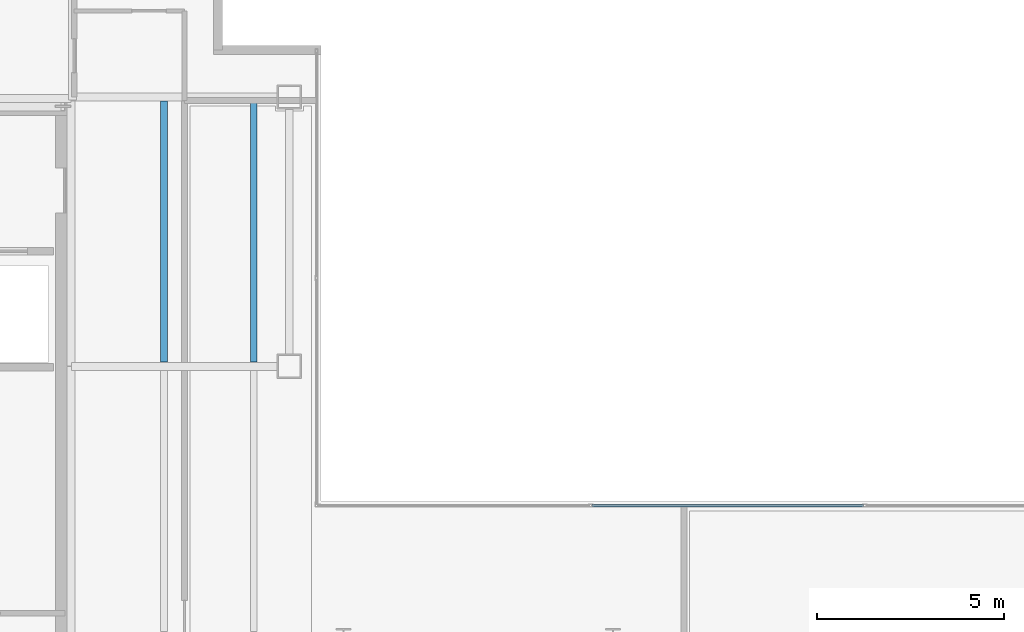
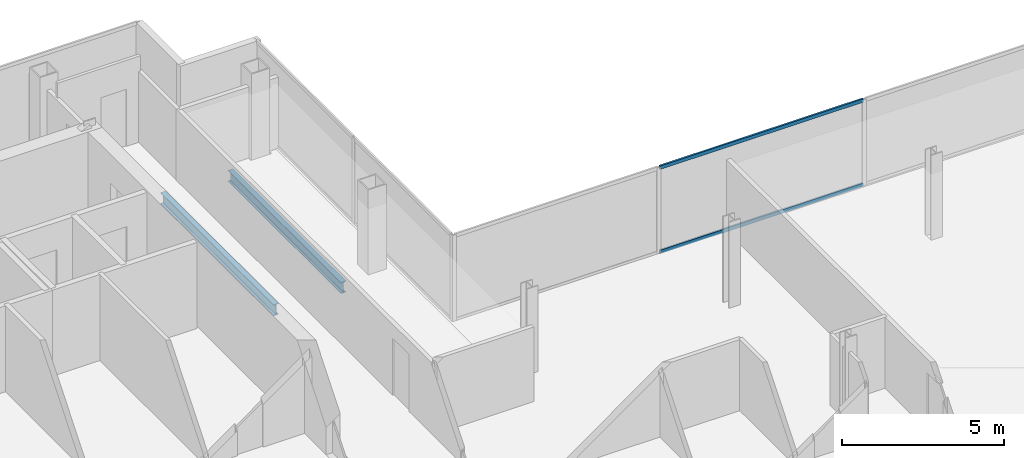
# One storey, part 10 of 23: 2 beams, 2 members, 1 element without a shape of its own.
"""IFC4 building model written with IfcOpenShell, lengths in metres."""

from ifc_helpers import new_model, si_unit, direction, frame, origin, origin_2d, place, context, subcontext, project, spatial, hollow_rectangle, i_section, extrude, material, material_profile, profile_set, type_object, element, aggregate, save


model = new_model("IFC4")

# Units and contexts
model_context = context("Model", 3, precision=1e-05, world=origin(), true_north=direction((0.0, 1.0)))
body_context = subcontext(model_context, "Body", "Model", "MODEL_VIEW")
ifc_project = project(units=[si_unit("LENGTHUNIT", "METRE"), si_unit("AREAUNIT", "SQUARE_METRE"), si_unit("VOLUMEUNIT", "CUBIC_METRE"), si_unit("PLANEANGLEUNIT", "RADIAN"), si_unit("MASSUNIT", "GRAM", prefix="KILO")], contexts=[model_context])

# Site, building, storey
site_placement = place(None, origin())
site = spatial("IfcSite", under=ifc_project, at=site_placement, CompositionType="ELEMENT")
building_placement = place(site_placement, origin())
building = spatial("IfcBuilding", under=site, at=building_placement, Name="Cobrela Telecom Tower", CompositionType="ELEMENT")
storey_placement = place(building_placement, frame((0.0, 0.0, 272.64990234375)))
storey = spatial("IfcBuildingStorey", under=building, at=storey_placement, Name="L71", CompositionType="ELEMENT", Elevation=272.64990234375)

# Beams
ifc_material_1 = material(Name="Steel ASTM A992 Grade 50", Category="steel")
ifc_material_profile_1 = material_profile(ifc_material_1, i_section(OverallWidth=0.179931640625, OverallDepth=0.4169921875, WebThickness=0.010986328125, FlangeThickness=0.01806640625, FilletRadius=0.011962890625, at=origin_2d()), Name="W16X57")
ifc_profile_set_1 = profile_set([ifc_material_profile_1], Name="Steel ASTM A992 Grade 50")
beam_type = type_object("IfcBeamType", Name="BM-JOIST-04", PredefinedType="JOIST", material=ifc_profile_set_1)
for number, where, z_axis, x_axis, name in (
    (1, (16.800048828125, 28.91162109375, -0.468505859375), (0.0, 1.0, 0.0), (-1.0, 0.0, 0.0), "L71 Secondary Composite Floor Beam J03"),
    (2, (19.199951171875, 28.91162109375, -0.468505859375), (0.0, 1.0, 0.0), (-1.0, 0.0, 0.0), "L71 Secondary Composite Floor Beam J06"),
):
    element("IfcBeam", number, at=place(storey_placement, frame(where, z_axis=z_axis, x_axis=x_axis)), inside=storey, type_object=beam_type, Name=name, PredefinedType="JOIST", context=body_context, shape_type="SweptSolid", body=[
        extrude(i_section(OverallWidth=0.179931640625, OverallDepth=0.4169921875, WebThickness=0.010986328125, FlangeThickness=0.01806640625, FilletRadius=0.011962890625, at=origin_2d()), origin(), (0.0, 0.0, 1.0), 6.976806640625),
    ])

# Curtain wall, members
ifc_material_2 = material(Name="Anodized Bronze Aluminium 6063-T6", Category="aluminium")
curtain_wall_type = type_object("IfcCurtainWallType", Name="CW-SYS-OFF-HI", PredefinedType="USERDEFINED", material=ifc_material_2)
curtain_wall_placement = place(storey_placement, origin())
curtain_wall = element("IfcCurtainWall", 3, at=curtain_wall_placement, inside=storey, type_object=curtain_wall_type, Name="L71 Unitised Bronze Curtain Wall 09", ObjectType="UNITISED CURTAIN WALL", PredefinedType="USERDEFINED")
ifc_material_profile_2 = material_profile(ifc_material_2, hollow_rectangle(XDim=0.06494140625, YDim=0.1298828125, WallThickness=0.00390625, at=origin_2d()), Name="ALU 65x130x4")
ifc_profile_set_2 = profile_set([ifc_material_profile_2], Name="Anodized Bronze Aluminium 6063-T6")
member_type = type_object("IfcMemberType", Name="CW-SYS-OFF-HI-TRN", PredefinedType="USERDEFINED", material=ifc_profile_set_2)
member_1_placement = place(storey_placement, frame((28.23828125, 25.080078125, 0.03271484375), z_axis=(1.0, 0.0, 0.0), x_axis=(0.0, 1.0, 0.0)))
member_1 = element("IfcMember", 4, at=member_1_placement, type_object=member_type, Name="CW-OFF-HI transom 2.1", ObjectType="TRANSOM", PredefinedType="USERDEFINED", context=body_context, shape_type="SweptSolid", body=[
    extrude(hollow_rectangle(XDim=0.06494140625, YDim=0.1298828125, WallThickness=0.00390625, at=origin_2d()), origin(), (0.0, 0.0, 1.0), 7.25341796875),
])
member_2_placement = place(storey_placement, frame((28.23828125, 25.080078125, 3.20751953125), z_axis=(1.0, 0.0, 0.0), x_axis=(0.0, 1.0, 0.0)))
member_2 = element("IfcMember", 5, at=member_2_placement, type_object=member_type, Name="CW-OFF-HI transom 2.2", ObjectType="TRANSOM", PredefinedType="USERDEFINED", context=body_context, shape_type="SweptSolid", body=[
    extrude(hollow_rectangle(XDim=0.06494140625, YDim=0.1298828125, WallThickness=0.00390625, at=origin_2d()), origin(), (0.0, 0.0, 1.0), 7.25341796875),
])
aggregate(curtain_wall, [member_1, member_2])

save(model, "model.ifc")
